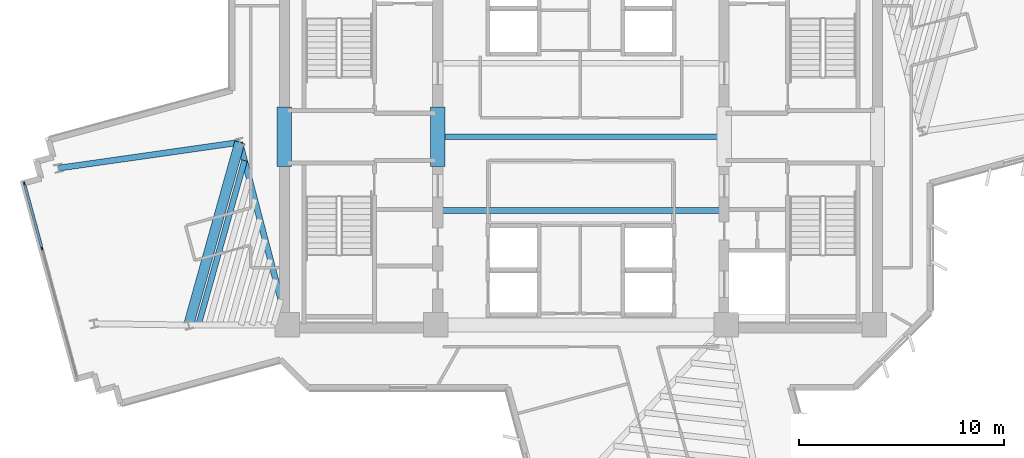
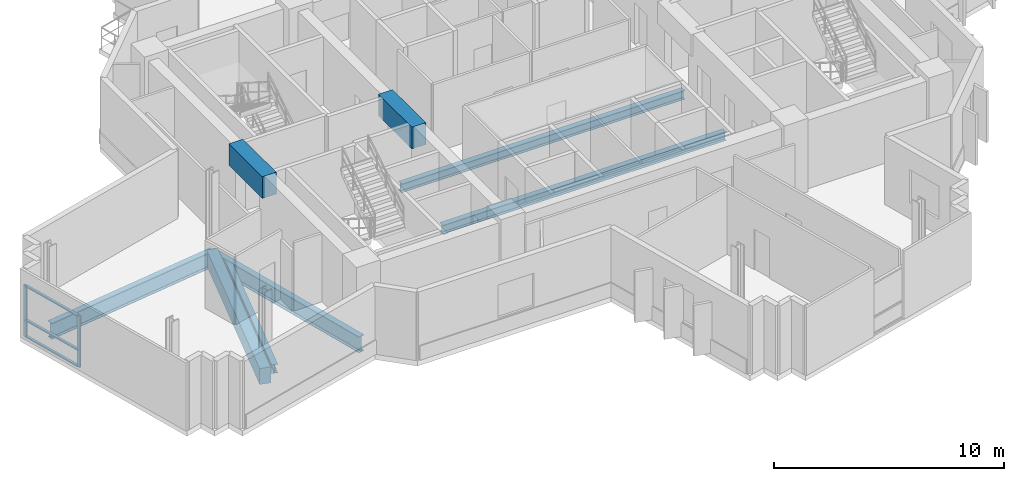
# One storey, part 4 of 15: 8 beams, 5 members, 1 element without a shape of its own.
"""IFC4 building model written with IfcOpenShell, lengths in metres."""

import ifcopenshell
import ifcopenshell.guid

model = None  # the IFC model being written
_history = None  # IfcOwnerHistory: only IFC2X3 demands one
_inside = {}  # id of a spatial element -> (the spatial element, [elements in it])
_under = {}  # id of a project, library or spatial element -> (it, [spatial elements below it])
_declared = {}  # id of a project -> (the project, [libraries it declares])
_typed = {}  # id of a type object -> (the type object, [elements of that type])
_made_of = {}  # id of a material, layer set ... -> (it, [elements and type objects made of it])


def new_model(schema):
    """Start an empty IFC model of exactly this schema.

    Asked for "IFC4X3", IfcOpenShell would pick the latest addendum, in which some entities
    have other attributes; the version numbers below select the first issue.
    IFC2X3 requires an IfcOwnerHistory on every rooted entity: one is made here for all.
    """
    global model, _history
    if schema == "IFC4X3":
        model = ifcopenshell.file(schema_version=(4, 3, 0, 0))
    else:
        model = ifcopenshell.file(schema=schema)
    _inside.clear()
    _under.clear()
    _declared.clear()
    _typed.clear()
    _made_of.clear()
    _history = None
    if model.schema == "IFC2X3":
        org = make("IfcOrganization", Name="unknown")
        user = make(
            "IfcPersonAndOrganization",
            ThePerson=make("IfcPerson", FamilyName="unknown"),
            TheOrganization=org,
        )
        app = make(
            "IfcApplication",
            ApplicationDeveloper=org,
            Version="unknown",
            ApplicationFullName="unknown",
            ApplicationIdentifier="unknown",
        )
        _history = make(
            "IfcOwnerHistory",
            OwningUser=user,
            OwningApplication=app,
            ChangeAction="ADDED",
            CreationDate=0,
        )
    return model


def make(cls, **values):
    """One entity of the class cls with the attributes given. An attribute that is None is left unset."""
    return model.create_entity(
        cls, **{name: value for name, value in values.items() if value is not None}
    )


def rooted(cls, **values):
    """An entity with a GlobalId (a new one), such as an element, a storey or a relation."""
    return make(cls, GlobalId=ifcopenshell.guid.new(), OwnerHistory=_history, **values)


def si_unit(unit_type, name, prefix=None):
    """IfcSIUnit, for example si_unit("LENGTHUNIT", "METRE", prefix="MILLI")."""
    return make("IfcSIUnit", UnitType=unit_type, Prefix=prefix, Name=name)


def assignment(units):
    """IfcUnitAssignment: the units of a project."""
    return None if units is None else make("IfcUnitAssignment", Units=units)


def point(xyz):
    """IfcCartesianPoint."""
    return None if xyz is None else make("IfcCartesianPoint", Coordinates=xyz)


def direction(xyz):
    """IfcDirection."""
    return None if xyz is None else make("IfcDirection", DirectionRatios=xyz)


def frame(location, z_axis=None, x_axis=None):
    """IfcAxis2Placement3D, a coordinate frame: its origin and axes. An axis left out is left unset."""
    return make(
        "IfcAxis2Placement3D",
        Location=point(location),
        Axis=direction(z_axis),
        RefDirection=direction(x_axis),
    )


def frame_2d(location, x_axis=None):
    """IfcAxis2Placement2D, a coordinate frame in the plane: its origin and x axis."""
    return make(
        "IfcAxis2Placement2D", Location=point(location), RefDirection=direction(x_axis)
    )


def origin():
    """The frame at (0, 0, 0) with its axes left unset."""
    return frame((0.0, 0.0, 0.0))


def origin_2d():
    """The frame at (0, 0) in the plane with its x axis left unset."""
    return frame_2d((0.0, 0.0))


def place(relative_to, where):
    """IfcLocalPlacement: puts the frame where relative to a parent placement (None: the world)."""
    return make(
        "IfcLocalPlacement", PlacementRelTo=relative_to, RelativePlacement=where
    )


def context(
    kind, dimensions, precision=None, world=None, true_north=None, identifier=None
):
    """IfcGeometricRepresentationContext, for example the 3D "Model" context."""
    return make(
        "IfcGeometricRepresentationContext",
        ContextIdentifier=identifier,
        ContextType=kind,
        CoordinateSpaceDimension=dimensions,
        Precision=precision,
        WorldCoordinateSystem=world,
        TrueNorth=true_north,
    )


def subcontext(parent, identifier, kind, view, scale=None):
    """IfcGeometricRepresentationSubContext, for example "Body" below "Model"."""
    return make(
        "IfcGeometricRepresentationSubContext",
        ContextIdentifier=identifier,
        ContextType=kind,
        ParentContext=parent,
        TargetScale=scale,
        TargetView=view,
    )


def project(units=None, contexts=None):
    """IfcProject with its units and contexts."""
    return rooted(
        "IfcProject",
        Name="project",
        RepresentationContexts=contexts,
        UnitsInContext=assignment(units),
    )


def spatial(cls, under=None, at=None, **own):
    """A site, building, storey or space (cls), placed at a placement, below another one or the project."""
    s = rooted(cls, ObjectPlacement=at, **own)
    if under is not None:
        _under.setdefault(under.id(), (under, []))[1].append(s)
    return s


def profile(cls, at=None, kind="AREA", **sizes):
    """A parametric profile (cls). Its sizes go by their IFC names, for example OverallWidth=200.0."""
    return make(cls, ProfileType=kind, Position=at, **sizes)


def rectangle(**sizes):
    """IfcRectangleProfileDef."""
    return profile("IfcRectangleProfileDef", **sizes)


def i_section(**sizes):
    """IfcIShapeProfileDef."""
    return profile("IfcIShapeProfileDef", **sizes)


def extrude(swept, where, along, depth):
    """IfcExtrudedAreaSolid: the profile swept, set in the frame where, extruded along a direction by depth."""
    return make(
        "IfcExtrudedAreaSolid",
        SweptArea=swept,
        Position=where,
        ExtrudedDirection=direction(along),
        Depth=depth,
    )


def shape(context_of_items, identifier, shape_type, items):
    """IfcShapeRepresentation: the items that make up one representation, for example the "Body"."""
    return make(
        "IfcShapeRepresentation",
        ContextOfItems=context_of_items,
        RepresentationIdentifier=identifier,
        RepresentationType=shape_type,
        Items=items,
    )


def source(mapping_origin, context_of_items, identifier, shape_type, items):
    """IfcRepresentationMap: a shape defined once, which mapped items show again and again."""
    return make(
        "IfcRepresentationMap",
        MappingOrigin=mapping_origin,
        MappedRepresentation=shape(context_of_items, identifier, shape_type, items),
    )


def transform(
    local_origin,
    x_axis=None,
    y_axis=None,
    z_axis=None,
    scale=None,
    scale2=None,
    scale3=None,
    uniform=True,
):
    """IfcCartesianTransformationOperator3D, or its non-uniform kind. x_axis, y_axis, z_axis: its Axis1, 2, 3."""
    if uniform:
        return make(
            "IfcCartesianTransformationOperator3D",
            Axis1=direction(x_axis),
            Axis2=direction(y_axis),
            LocalOrigin=point(local_origin),
            Scale=scale,
            Axis3=direction(z_axis),
        )
    return make(
        "IfcCartesianTransformationOperator3DnonUniform",
        Axis1=direction(x_axis),
        Axis2=direction(y_axis),
        LocalOrigin=point(local_origin),
        Scale=scale,
        Axis3=direction(z_axis),
        Scale2=scale2,
        Scale3=scale3,
    )


def mapped(mapping_source, mapping_target):
    """IfcMappedItem: shows the shape of a source again, moved by a transform."""
    return make(
        "IfcMappedItem", MappingSource=mapping_source, MappingTarget=mapping_target
    )


def material(Name=None, Category=None):
    """IfcMaterial."""
    return make("IfcMaterial", Name=Name, Category=Category)


def layer(
    of_material, thickness, ventilated=None, Name=None, Category=None, Priority=None
):
    """IfcMaterialLayer: one layer of a wall or slab, of a material (None: an air gap)."""
    return make(
        "IfcMaterialLayer",
        Material=of_material,
        LayerThickness=thickness,
        IsVentilated=ventilated,
        Name=Name,
        Category=Category,
        Priority=Priority,
    )


def layer_set(layers, Name=None):
    """IfcMaterialLayerSet."""
    return make("IfcMaterialLayerSet", MaterialLayers=layers, LayerSetName=Name)


def material_profile(
    of_material, cross_section, Name=None, Category=None, Priority=None
):
    """IfcMaterialProfile: a cross section and its material."""
    return make(
        "IfcMaterialProfile",
        Name=Name,
        Material=of_material,
        Profile=cross_section,
        Priority=Priority,
        Category=Category,
    )


def profile_set(profiles, Name=None, composite=None):
    """IfcMaterialProfileSet."""
    return make(
        "IfcMaterialProfileSet",
        Name=Name,
        MaterialProfiles=profiles,
        CompositeProfile=composite,
    )


def made_of(thing, what):
    """Note that an element or type object is made of a material, layer set ...; save() writes the relation."""
    if what is not None:
        _made_of.setdefault(what.id(), (what, []))[1].append(thing)
    return thing


def type_object(cls, material=None, **own):
    """A type object (cls), such as IfcWallType, which elements share."""
    return made_of(rooted(cls, **own), material)


def element(
    cls,
    number,
    at=None,
    inside=None,
    cuts=None,
    type_object=None,
    material=None,
    context=None,
    identifier="Body",
    shape_type=None,
    held_by="IfcProductDefinitionShape",
    body=None,
    shapes=None,
    **own,
):
    """One element of the class cls, such as IfcWall. Its Tag is "e" and its number.

    at: its placement. inside: the storey or other place that contains it. cuts: it is an
    opening in that element (IfcRelVoidsElement). A single representation is given by context,
    identifier, shape_type and body (its items); several are given by shapes. held_by: the class
    of the entity that holds the representations. save() writes the other relations.
    """
    e = rooted(cls, Tag="e%d" % number, ObjectPlacement=at, **own)
    if body is not None:
        shapes = [shape(context, identifier, shape_type, body)]
    if shapes is not None:
        e.Representation = make(held_by, Representations=shapes)
    if inside is not None:
        _inside.setdefault(inside.id(), (inside, []))[1].append(e)
    if cuts is not None:
        rooted(
            "IfcRelVoidsElement", RelatingBuildingElement=cuts, RelatedOpeningElement=e
        )
    if type_object is not None:
        _typed.setdefault(type_object.id(), (type_object, []))[1].append(e)
    return made_of(e, material)


def aggregate(whole, parts):
    """IfcRelAggregates: a whole, such as a stair, and the parts it consists of."""
    return rooted("IfcRelAggregates", RelatingObject=whole, RelatedObjects=parts)


def save(model, path):
    """Write the relations noted so far, then the file.

    IfcRelAggregates (storeys below a building ...), IfcRelContainedInSpatialStructure (elements
    in a storey), IfcRelDefinesByType, IfcRelAssociatesMaterial and IfcRelDeclares: one each for
    every whole, place, type object, material and project.
    """
    for whole, parts in _under.values():
        aggregate(whole, parts)
    for where, things in _inside.values():
        rooted(
            "IfcRelContainedInSpatialStructure",
            RelatedElements=things,
            RelatingStructure=where,
        )
    for kind, things in _typed.values():
        rooted("IfcRelDefinesByType", RelatedObjects=things, RelatingType=kind)
    for what, things in _made_of.values():
        rooted("IfcRelAssociatesMaterial", RelatedObjects=things, RelatingMaterial=what)
    for by, libraries in _declared.values():
        rooted("IfcRelDeclares", RelatingContext=by, RelatedDefinitions=libraries)
    model.write(path)


model = new_model("IFC4")

# Units and contexts
model_context = context("Model", 3, precision=1e-05, world=origin(), true_north=direction((0.0, 1.0)))
body_context = subcontext(model_context, "Body", "Model", "MODEL_VIEW")
ifc_project = project(units=[si_unit("LENGTHUNIT", "METRE"), si_unit("AREAUNIT", "SQUARE_METRE"), si_unit("VOLUMEUNIT", "CUBIC_METRE"), si_unit("PLANEANGLEUNIT", "RADIAN"), si_unit("MASSUNIT", "GRAM", prefix="KILO")], contexts=[model_context])

# Site, building, storey
site_placement = place(None, origin())
site = spatial("IfcSite", under=ifc_project, at=site_placement, CompositionType="ELEMENT")
building_placement = place(site_placement, origin())
building = spatial("IfcBuilding", under=site, at=building_placement, Name="Zahravan Cultural Tower", CompositionType="ELEMENT")
storey_placement = place(building_placement, frame((0.0, 0.0, 194.10009765625)))
storey = spatial("IfcBuildingStorey", under=building, at=storey_placement, Name="L45", CompositionType="ELEMENT", Elevation=194.10009765625)

# Beams
ifc_material_1 = material(Name="Concrete C50/60", Category="concrete")
ifc_material_profile_1 = material_profile(ifc_material_1, rectangle(XDim=0.699951171875, YDim=1.14990234375, at=origin_2d()), Name="RC700X1150")
ifc_profile_set_1 = profile_set([ifc_material_profile_1], Name="Concrete C50/60")
beam_type_1 = type_object("IfcBeamType", Name="BM-LN-RC700X1150", PredefinedType="LINTEL", material=ifc_profile_set_1)
shared_shape_1 = source(origin(), body_context, "Body", "SweptSolid", [
    extrude(rectangle(XDim=0.699951171875, YDim=1.14990234375, at=origin_2d()), origin(), (0.0, 0.0, 1.0), 2.89990234375),
])
for number, where, z_axis, x_axis, name in (
    (1, (21.5, 25.550048828125, 3.044921875), (0.0, 1.0, 0.0), (-1.0, 0.0, 0.0), "L45 Beam LN-L45-PWW"),
    (2, (29.0, 25.550048828125, 3.044921875), (0.0, 1.0, 0.0), (-1.0, 0.0, 0.0), "L45 Beam LN-L45-PWE"),
):
    element("IfcBeam", number, at=place(storey_placement, frame(where, z_axis=z_axis, x_axis=x_axis)), inside=storey, type_object=beam_type_1, Name=name, PredefinedType="LINTEL", context=body_context, shape_type="MappedRepresentation", body=[
        mapped(shared_shape_1, transform((0.0, 0.0, 0.0), x_axis=(1.0, 0.0, 0.0), y_axis=(0.0, 1.0, 0.0), z_axis=(0.0, 0.0, 1.0), scale=1.0)),
    ])
ifc_material_profile_2 = material_profile(ifc_material_1, rectangle(XDim=0.5, YDim=0.85009765625, at=origin_2d()), Name="RC500X850")
ifc_profile_set_2 = profile_set([ifc_material_profile_2], Name="Concrete C50/60")
beam_type_2 = type_object("IfcBeamType", Name="BM-SP-RC500X850", PredefinedType="SPANDREL", material=ifc_profile_set_2)
shared_shape_2 = source(origin(), body_context, "Body", "SweptSolid", [
    extrude(rectangle(XDim=0.5, YDim=0.85009765625, at=origin_2d()), origin(), (0.0, 0.0, 1.0), 9.2783203125),
])
beam_1_placement = place(storey_placement, frame((19.315673828125, 26.72900390625, -0.705078125), z_axis=(-0.269497187032, -0.963001176625, 0.0), x_axis=(0.963001176625, -0.269497187032, 0.0)))
element("IfcBeam", 3, at=beam_1_placement, inside=storey, type_object=beam_type_2, Name="L45 Beam SP-L45-19", PredefinedType="SPANDREL", context=body_context, shape_type="MappedRepresentation", body=[
    mapped(shared_shape_2, transform((0.0, 0.0, 0.0), x_axis=(1.0, 0.0, 0.0), y_axis=(0.0, 1.0, 0.0), z_axis=(0.0, 0.0, 1.0), scale=1.0)),
])
ifc_material_2 = material(Name="Steel ASTM A992 Grade 50", Category="steel")
ifc_material_profile_3 = material_profile(ifc_material_2, i_section(OverallWidth=0.29296875, OverallDepth=0.845947265625, WebThickness=0.015380859375, FlangeThickness=0.0244140625, FilletRadius=0.02001953125, at=origin_2d()), Name="W33X141")
ifc_profile_set_3 = profile_set([ifc_material_profile_3], Name="Steel ASTM A992 Grade 50")
beam_type_3 = type_object("IfcBeamType", Name="BM-G-W33X141", PredefinedType="BEAM", material=ifc_profile_set_3)
shared_shape_3 = source(origin(), body_context, "Body", "SweptSolid", [
    extrude(i_section(OverallWidth=0.29296875, OverallDepth=0.845947265625, WebThickness=0.015380859375, FlangeThickness=0.0244140625, FilletRadius=0.02001953125, at=origin_2d()), origin(), (0.0, 0.0, 1.0), 9.22900390625),
])
beam_2_placement = place(storey_placement, frame((21.64990234375, 17.800048828125, -0.703125), z_axis=(-0.252922608408, 0.967486513682, 0.0), x_axis=(-0.967486513682, -0.252922608408, 0.0)))
element("IfcBeam", 4, at=beam_2_placement, inside=storey, type_object=beam_type_3, Name="L45 Beam BG-L45-07", PredefinedType="BEAM", context=body_context, shape_type="MappedRepresentation", body=[
    mapped(shared_shape_3, transform((0.0, 0.0, 0.0), x_axis=(1.0, 0.0, 0.0), y_axis=(0.0, 1.0, 0.0), z_axis=(0.0, 0.0, 1.0), scale=1.0)),
])
shared_shape_4 = source(origin(), body_context, "Body", "SweptSolid", [
    extrude(i_section(OverallWidth=0.29296875, OverallDepth=0.845947265625, WebThickness=0.015380859375, FlangeThickness=0.0244140625, FilletRadius=0.02001953125, at=origin_2d()), origin(), (0.0, 0.0, 1.0), 8.9580078125),
])
beam_3_placement = place(storey_placement, frame((19.315673828125, 26.72900390625, -0.703125), z_axis=(-0.990000122431, -0.141066500584, 0.0), x_axis=(0.141066500584, -0.990000122431, 0.0)))
element("IfcBeam", 5, at=beam_3_placement, inside=storey, type_object=beam_type_3, Name="L45 Beam BG-L45-17", PredefinedType="BEAM", context=body_context, shape_type="MappedRepresentation", body=[
    mapped(shared_shape_4, transform((0.0, 0.0, 0.0), x_axis=(1.0, 0.0, 0.0), y_axis=(0.0, 1.0, 0.0), z_axis=(0.0, 0.0, 1.0), scale=1.0)),
])
ifc_material_profile_4 = material_profile(ifc_material_2, i_section(OverallWidth=0.280029296875, OverallDepth=0.462890625, WebThickness=0.0107421875, FlangeThickness=0.017333984375, FilletRadius=0.012939453125, at=origin_2d()), Name="W18X76")
ifc_profile_set_4 = profile_set([ifc_material_profile_4], Name="Steel ASTM A992 Grade 50")
beam_type_4 = type_object("IfcBeamType", Name="BM-J-W18X76", PredefinedType="JOIST", material=ifc_profile_set_4)
shared_shape_5 = source(origin(), body_context, "Body", "SweptSolid", [
    extrude(i_section(OverallWidth=0.280029296875, OverallDepth=0.462890625, WebThickness=0.0107421875, FlangeThickness=0.017333984375, FilletRadius=0.012939453125, at=origin_2d()), origin(), (0.0, 0.0, 1.0), 14.2001953125),
])
for number, where, z_axis, x_axis, name in (
    (6, (28.89990234375, 23.39990234375, -0.51171875), (1.0, 0.0, 0.0), (0.0, 1.0, 0.0), "L45 Beam BJ-L45-23"),
    (7, (28.89990234375, 27.0, -0.51171875), (1.0, 0.0, 0.0), (0.0, 1.0, 0.0), "L45 Beam BJ-L45-24"),
):
    element("IfcBeam", number, at=place(storey_placement, frame(where, z_axis=z_axis, x_axis=x_axis)), inside=storey, type_object=beam_type_4, Name=name, PredefinedType="JOIST", context=body_context, shape_type="MappedRepresentation", body=[
        mapped(shared_shape_5, transform((0.0, 0.0, 0.0), x_axis=(1.0, 0.0, 0.0), y_axis=(0.0, 1.0, 0.0), z_axis=(0.0, 0.0, 1.0), scale=1.0)),
    ])
shared_shape_6 = source(origin(), body_context, "Body", "SweptSolid", [
    extrude(i_section(OverallWidth=0.280029296875, OverallDepth=0.462890625, WebThickness=0.0107421875, FlangeThickness=0.017333984375, FilletRadius=0.012939453125, at=origin_2d()), origin(), (0.0, 0.0, 1.0), 8.350830078125),
])
beam_4_placement = place(storey_placement, frame((19.549072265625, 25.836181640625, -0.51171875), z_axis=(-0.269496539555, -0.963001357822, 0.0), x_axis=(0.963001357822, -0.269496539555, 0.0)))
element("IfcBeam", 8, at=beam_4_placement, inside=storey, type_object=beam_type_4, Name="L45 Beam BJ-L45-33", PredefinedType="JOIST", context=body_context, shape_type="MappedRepresentation", body=[
    mapped(shared_shape_6, transform((0.0, 0.0, 0.0), x_axis=(1.0, 0.0, 0.0), y_axis=(0.0, 1.0, 0.0), z_axis=(0.0, 0.0, 1.0), scale=1.0)),
])

# Curtain wall, members
ifc_material_3 = material(Name="Anodised bronze-aluminium mullion", Category="aluminium")
ifc_layer = layer(ifc_material_3, 0.1650390625)
ifc_layer_set = layer_set([ifc_layer], Name="Anodised bronze-aluminium mullion")
curtain_wall_type = type_object("IfcCurtainWallType", Name="CW-SYS-4", PredefinedType="USERDEFINED", material=ifc_layer_set)
curtain_wall_placement = place(storey_placement, origin())
curtain_wall = element("IfcCurtainWall", 9, at=curtain_wall_placement, inside=storey, type_object=curtain_wall_type, Name="L45 Recessed Curtain Wall CW-4.2", ObjectType="RECESSED GLAZING", PredefinedType="USERDEFINED")
ifc_material_profile_5 = material_profile(ifc_material_3, rectangle(XDim=0.06494140625, YDim=0.1650390625, at=origin_2d()), Name="AL-M65X165")
ifc_profile_set_5 = profile_set([ifc_material_profile_5], Name="Anodised bronze-aluminium mullion")
member_type_1 = type_object("IfcMemberType", Name="CWM-CW-4", PredefinedType="MULLION", material=ifc_profile_set_5)
shared_shape_7 = source(origin(), body_context, "Body", "SweptSolid", [
    extrude(rectangle(XDim=0.06494140625, YDim=0.1650390625, at=origin_2d()), origin(), (0.0, 0.0, 1.0), 2.739990234375),
])
member_1_placement = place(storey_placement, frame((9.646240234375, 21.552978515625, 0.0), z_axis=(0.0, 0.0, 1.0), x_axis=(-0.96501717126, -0.262186687636, 0.0)))
member_1 = element("IfcMember", 10, at=member_1_placement, type_object=member_type_1, Name="CW-4 mullion 3", PredefinedType="MULLION", context=body_context, shape_type="MappedRepresentation", body=[
    mapped(shared_shape_7, transform((0.0, 0.0, 0.0), x_axis=(1.0, 0.0, 0.0), y_axis=(0.0, 1.0, 0.0), z_axis=(0.0, 0.0, 1.0), scale=1.0)),
])
member_2_placement = place(storey_placement, frame((8.787841796875, 24.712646484375, 0.0), z_axis=(0.0, 0.0, 1.0), x_axis=(-0.96501717126, -0.262186687636, 0.0)))
member_2 = element("IfcMember", 11, at=member_2_placement, type_object=member_type_1, Name="CW-4 mullion 4", PredefinedType="MULLION", context=body_context, shape_type="MappedRepresentation", body=[
    mapped(shared_shape_7, transform((0.0, 0.0, 0.0), x_axis=(1.0, 0.0, 0.0), y_axis=(0.0, 1.0, 0.0), z_axis=(0.0, 0.0, 1.0), scale=1.0)),
])
ifc_material_profile_6 = material_profile(ifc_material_3, rectangle(XDim=0.1298828125, YDim=0.06494140625, at=origin_2d()), Name="AL-T65X130")
ifc_profile_set_6 = profile_set([ifc_material_profile_6], Name="Anodised bronze-aluminium mullion")
member_type_2 = type_object("IfcMemberType", Name="CWT-CW-4", PredefinedType="USERDEFINED", material=ifc_profile_set_6)
shared_shape_8 = source(origin(), body_context, "Body", "SweptSolid", [
    extrude(rectangle(XDim=0.1298828125, YDim=0.06494140625, at=origin_2d()), origin(), (0.0, 0.0, 1.0), 3.209228515625),
])
member_3_placement = place(storey_placement, frame((9.6376953125, 21.58447265625, 0.032470703125), z_axis=(-0.262228977575, 0.96500568046, 0.0), x_axis=(-0.96500568046, -0.262228977575, 0.0)))
member_3 = element("IfcMember", 12, at=member_3_placement, type_object=member_type_2, Name="CW-4 transom 3.1", ObjectType="TRANSOM", PredefinedType="USERDEFINED", context=body_context, shape_type="MappedRepresentation", body=[
    mapped(shared_shape_8, transform((0.0, 0.0, 0.0), x_axis=(1.0, 0.0, 0.0), y_axis=(0.0, 1.0, 0.0), z_axis=(0.0, 0.0, 1.0), scale=1.0)),
])
member_4_placement = place(storey_placement, frame((9.6376953125, 21.58447265625, 0.89990234375), z_axis=(-0.262228977575, 0.96500568046, 0.0), x_axis=(-0.96500568046, -0.262228977575, 0.0)))
member_4 = element("IfcMember", 13, at=member_4_placement, type_object=member_type_2, Name="CW-4 transom 3.2", ObjectType="TRANSOM", PredefinedType="USERDEFINED", context=body_context, shape_type="MappedRepresentation", body=[
    mapped(shared_shape_8, transform((0.0, 0.0, 0.0), x_axis=(1.0, 0.0, 0.0), y_axis=(0.0, 1.0, 0.0), z_axis=(0.0, 0.0, 1.0), scale=1.0)),
])
member_5_placement = place(storey_placement, frame((9.6376953125, 21.58447265625, 2.70751953125), z_axis=(-0.262228977575, 0.96500568046, 0.0), x_axis=(-0.96500568046, -0.262228977575, 0.0)))
member_5 = element("IfcMember", 14, at=member_5_placement, type_object=member_type_2, Name="CW-4 transom 3.3", ObjectType="TRANSOM", PredefinedType="USERDEFINED", context=body_context, shape_type="MappedRepresentation", body=[
    mapped(shared_shape_8, transform((0.0, 0.0, 0.0), x_axis=(1.0, 0.0, 0.0), y_axis=(0.0, 1.0, 0.0), z_axis=(0.0, 0.0, 1.0), scale=1.0)),
])
aggregate(curtain_wall, [member_1, member_2, member_3, member_4, member_5])

save(model, "model.ifc")
